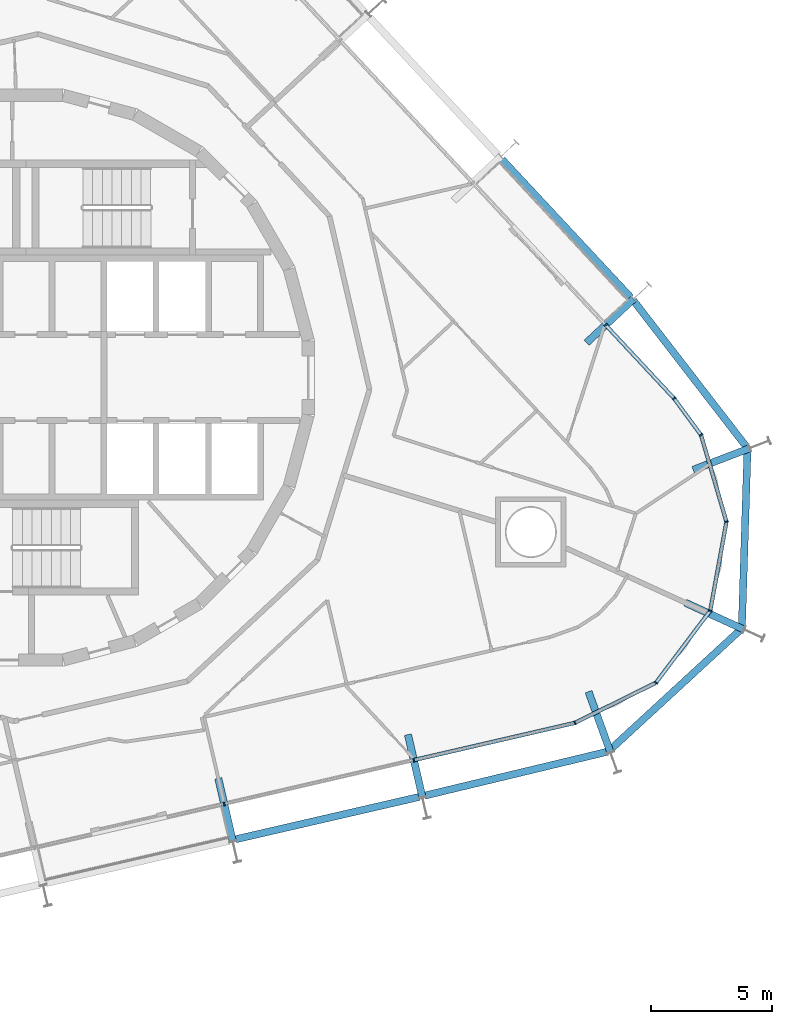
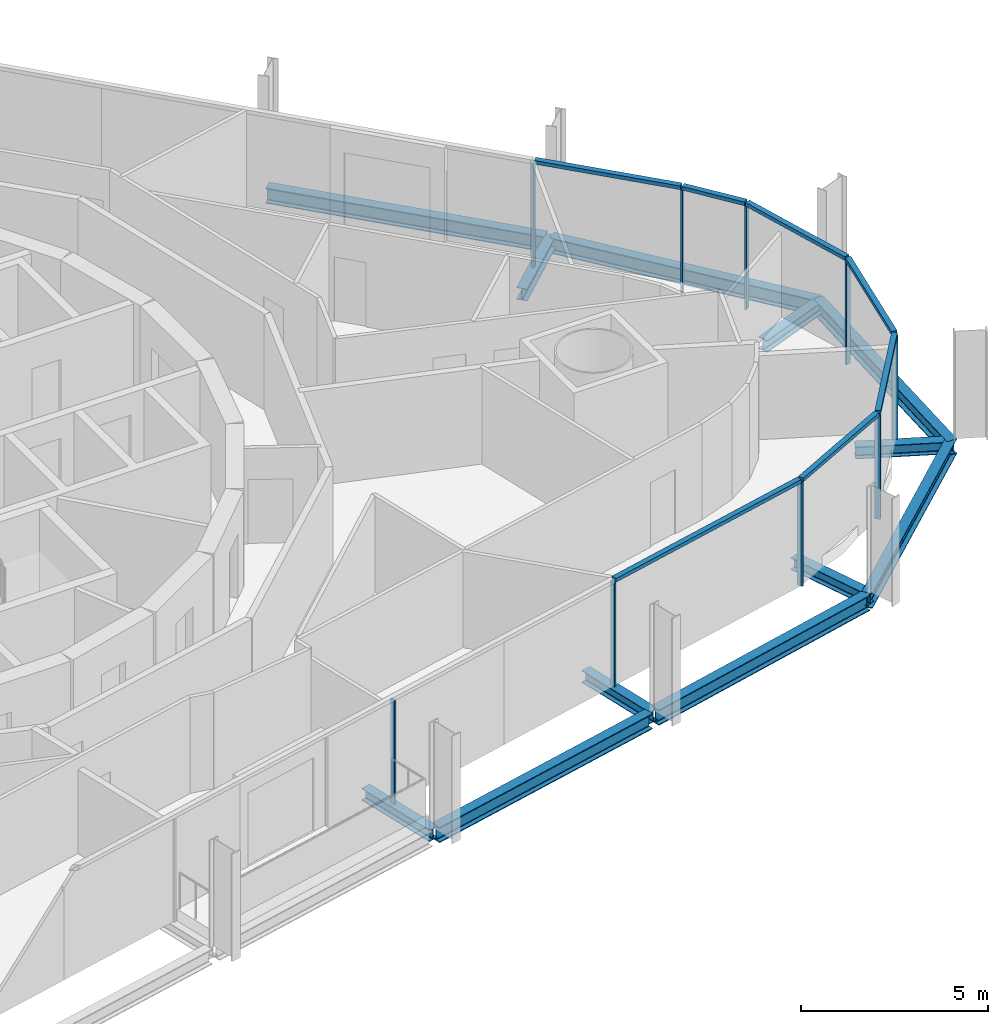
# One storey, part 6 of 18: 16 members, 12 beams, 3 elements without a shape of their own.
"""IFC4 building model written with IfcOpenShell, lengths in metres."""

from ifc_helpers import new_model, si_unit, direction, frame, origin, origin_2d, place, context, subcontext, project, spatial, rectangle, i_section, extrude, material, layer, layer_set, material_profile, profile_set, type_object, element, aggregate, save


model = new_model("IFC4")

# Units and contexts
model_context = context("Model", 3, precision=1e-05, world=origin(), true_north=direction((0.0, 1.0)))
body_context = subcontext(model_context, "Body", "Model", "MODEL_VIEW")
ifc_project = project(units=[si_unit("LENGTHUNIT", "METRE"), si_unit("AREAUNIT", "SQUARE_METRE"), si_unit("VOLUMEUNIT", "CUBIC_METRE"), si_unit("PLANEANGLEUNIT", "RADIAN"), si_unit("MASSUNIT", "GRAM", prefix="KILO")], contexts=[model_context])

# Site, building, storey
site_placement = place(None, origin())
site = spatial("IfcSite", under=ifc_project, at=site_placement, CompositionType="ELEMENT")
building_placement = place(site_placement, origin())
building = spatial("IfcBuilding", under=site, at=building_placement, Name="Spindle Arch Residences", CompositionType="ELEMENT")
storey_placement = place(building_placement, frame((0.0, 0.0, 116.89990234375)))
storey = spatial("IfcBuildingStorey", under=building, at=storey_placement, Name="L28", CompositionType="ELEMENT", Elevation=116.89990234375)

# Curtain wall, members
ifc_material_1 = material(Name="Aluminium bronze unitised frame with tinted glass", Category="aluminium")
ifc_layer_1 = layer(ifc_material_1, 0.159912109375)
ifc_layer_set_1 = layer_set([ifc_layer_1], Name="CW-D corner wall on the fillet arcs")
curtain_wall_type_1 = type_object("IfcCurtainWallType", Name="CW-D corner wall on the fillet arcs", PredefinedType="NOTDEFINED", material=ifc_layer_set_1)
curtain_wall_1_placement = place(storey_placement, origin())
curtain_wall_1 = element("IfcCurtainWall", 1, at=curtain_wall_1_placement, inside=storey, type_object=curtain_wall_type_1, Name="CW-D L28 run 1", PredefinedType="NOTDEFINED")
ifc_material_2 = material(Name="Aluminium bronze anodised mullion", Category="aluminium")
ifc_material_profile_1 = material_profile(ifc_material_2, rectangle(XDim=0.159912109375, YDim=0.06005859375, at=origin_2d()), Name="MU 60x160")
ifc_profile_set_1 = profile_set([ifc_material_profile_1], Name="Aluminium bronze anodised mullion")
member_type_1 = type_object("IfcMemberType", Name="Bronze mullion 60x160", PredefinedType="MULLION", material=ifc_profile_set_1)
member_1_placement = place(storey_placement, frame((16.002685546875, -15.775390625, -0.3798828125), z_axis=(0.0, 0.0, 1.0), x_axis=(-0.224951054344, 0.974370064785, 0.0)))
member_1 = element("IfcMember", 2, at=member_1_placement, type_object=member_type_1, Name="CW-D mullion 00", PredefinedType="MULLION", context=body_context, shape_type="SweptSolid", body=[
    extrude(rectangle(XDim=0.159912109375, YDim=0.06005859375, at=origin_2d()), origin(), (0.0, 0.0, 1.0), 3.3798828125),
])
member_2_placement = place(storey_placement, frame((22.647705078125, -14.2412109375, -0.3798828125), z_axis=(0.0, 0.0, 1.0), x_axis=(-0.443592675931, 0.896228507614, 0.0)))
member_2 = element("IfcMember", 3, at=member_2_placement, type_object=member_type_1, Name="CW-D mullion 01", PredefinedType="MULLION", context=body_context, shape_type="SweptSolid", body=[
    extrude(rectangle(XDim=0.159912109375, YDim=0.06005859375, at=origin_2d()), origin(), (0.0, 0.0, 1.0), 3.3798828125),
])
member_3_placement = place(storey_placement, frame((25.987548828125, -12.588134765625, -0.3798828125), z_axis=(0.0, 0.0, 1.0), x_axis=(-0.798635511056, 0.601815021814, 0.0)))
member_3 = element("IfcMember", 4, at=member_3_placement, type_object=member_type_1, Name="CW-D mullion 02", PredefinedType="MULLION", context=body_context, shape_type="SweptSolid", body=[
    extrude(rectangle(XDim=0.159912109375, YDim=0.06005859375, at=origin_2d()), origin(), (0.0, 0.0, 1.0), 3.3798828125),
])
member_4_placement = place(storey_placement, frame((28.23046875, -9.61181640625, -0.3798828125), z_axis=(0.0, 0.0, 1.0), x_axis=(-0.983780848179, 0.17937458782, 0.0)))
member_4 = element("IfcMember", 5, at=member_4_placement, type_object=member_type_1, Name="CW-D mullion 03", PredefinedType="MULLION", context=body_context, shape_type="SweptSolid", body=[
    extrude(rectangle(XDim=0.159912109375, YDim=0.06005859375, at=origin_2d()), origin(), (0.0, 0.0, 1.0), 3.3798828125),
])
member_5_placement = place(storey_placement, frame((28.89892578125, -5.945556640625, -0.3798828125), z_axis=(0.0, 0.0, 1.0), x_axis=(-0.959641844554, -0.281225052549, 0.0)))
member_5 = element("IfcMember", 6, at=member_5_placement, type_object=member_type_1, Name="CW-D mullion 04", PredefinedType="MULLION", context=body_context, shape_type="SweptSolid", body=[
    extrude(rectangle(XDim=0.159912109375, YDim=0.06005859375, at=origin_2d()), origin(), (0.0, 0.0, 1.0), 3.3798828125),
])
member_6_placement = place(storey_placement, frame((27.850830078125, -2.369140625, -0.3798828125), z_axis=(0.0, 0.0, 1.0), x_axis=(-0.805583724819, -0.592481951039, 0.0)))
member_6 = element("IfcMember", 7, at=member_6_placement, type_object=member_type_1, Name="CW-D mullion 05", PredefinedType="MULLION", context=body_context, shape_type="SweptSolid", body=[
    extrude(rectangle(XDim=0.159912109375, YDim=0.06005859375, at=origin_2d()), origin(), (0.0, 0.0, 1.0), 3.3798828125),
])
member_7_placement = place(storey_placement, frame((26.7392578125, -0.85791015625, -0.3798828125), z_axis=(0.0, 0.0, 1.0), x_axis=(-0.731353701619, -0.681998360062, 0.0)))
member_7 = element("IfcMember", 8, at=member_7_placement, type_object=member_type_1, Name="CW-D mullion 06", PredefinedType="MULLION", context=body_context, shape_type="SweptSolid", body=[
    extrude(rectangle(XDim=0.159912109375, YDim=0.06005859375, at=origin_2d()), origin(), (0.0, 0.0, 1.0), 3.3798828125),
])

# Curtain wall, member
ifc_material_3 = material(Name="Aluminium bronze unitised frame with tinted glass", Category="aluminium")
ifc_layer_2 = layer(ifc_material_3, 0.159912109375)
ifc_layer_set_2 = layer_set([ifc_layer_2], Name="CW-C typical residential unitised wall")
curtain_wall_type_2 = type_object("IfcCurtainWallType", Name="CW-C typical residential unitised wall", PredefinedType="NOTDEFINED", material=ifc_layer_set_2)
curtain_wall_2_placement = place(storey_placement, origin())
curtain_wall_2 = element("IfcCurtainWall", 9, at=curtain_wall_2_placement, inside=storey, type_object=curtain_wall_type_2, Name="CW-C L28 run 2", PredefinedType="NOTDEFINED")
member_8_placement = place(storey_placement, frame((23.91357421875, 2.172607421875, -0.3798828125), z_axis=(0.0, 0.0, 1.0), x_axis=(-0.731353701619, -0.681998360062, 0.0)))
member_8 = element("IfcMember", 10, at=member_8_placement, type_object=member_type_1, Name="CW-C mullion 05", PredefinedType="MULLION", context=body_context, shape_type="SweptSolid", body=[
    extrude(rectangle(XDim=0.159912109375, YDim=0.06005859375, at=origin_2d()), origin(), (0.0, 0.0, 1.0), 3.3798828125),
])
aggregate(curtain_wall_2, [member_8])

curtain_wall_3_placement = place(storey_placement, origin())
curtain_wall_3 = element("IfcCurtainWall", 11, at=curtain_wall_3_placement, inside=storey, type_object=curtain_wall_type_2, Name="CW-C L28 run 6", PredefinedType="NOTDEFINED")
member_9_placement = place(storey_placement, frame((8.17919921875, -17.58154296875, -0.3798828125), z_axis=(0.0, 0.0, 1.0), x_axis=(-0.224951054344, 0.974370064785, 0.0)))
member_9 = element("IfcMember", 12, at=member_9_placement, type_object=member_type_1, Name="CW-C mullion 00", PredefinedType="MULLION", context=body_context, shape_type="SweptSolid", body=[
    extrude(rectangle(XDim=0.159912109375, YDim=0.06005859375, at=origin_2d()), origin(), (0.0, 0.0, 1.0), 3.3798828125),
])
aggregate(curtain_wall_3, [member_9])

# Member
ifc_material_4 = material(Name="Aluminium bronze anodised transom", Category="aluminium")
ifc_material_profile_2 = material_profile(ifc_material_4, rectangle(XDim=0.159912109375, YDim=0.1201171875, at=origin_2d()), Name="TR 120x160")
ifc_profile_set_2 = profile_set([ifc_material_profile_2], Name="Aluminium bronze anodised transom")
member_type_2 = type_object("IfcMemberType", Name="Bronze transom 120x160", PredefinedType="USERDEFINED", material=ifc_profile_set_2)
member_10_placement = place(storey_placement, frame((16.03173828125, -15.7685546875, 3.06005859375), z_axis=(0.974374758263, 0.224930723691, 0.0), x_axis=(-0.224930723691, 0.974374758263, 0.0)))
member_10 = element("IfcMember", 13, at=member_10_placement, type_object=member_type_2, Name="CW-D transom 00", ObjectType="TRANSOM", PredefinedType="USERDEFINED", context=body_context, shape_type="SweptSolid", body=[
    extrude(rectangle(XDim=0.159912109375, YDim=0.1201171875, at=origin_2d()), origin(), (0.0, 0.0, 1.0), 6.760009765625),
])

member_11_placement = place(storey_placement, frame((22.674560546875, -14.22802734375, 3.06005859375), z_axis=(0.896204490037, 0.443641197408, 0.0), x_axis=(-0.443641197408, 0.896204490037, 0.0)))
member_11 = element("IfcMember", 14, at=member_11_placement, type_object=member_type_2, Name="CW-D transom 01", ObjectType="TRANSOM", PredefinedType="USERDEFINED", context=body_context, shape_type="SweptSolid", body=[
    extrude(rectangle(XDim=0.159912109375, YDim=0.1201171875, at=origin_2d()), origin(), (0.0, 0.0, 1.0), 3.666748046875),
])

member_12_placement = place(storey_placement, frame((26.005615234375, -12.564208984375, 3.06005859375), z_axis=(0.601820083797, 0.798631696553, 0.0), x_axis=(-0.798631696553, 0.601820083797, 0.0)))
member_12 = element("IfcMember", 15, at=member_12_placement, type_object=member_type_2, Name="CW-D transom 02", ObjectType="TRANSOM", PredefinedType="USERDEFINED", context=body_context, shape_type="SweptSolid", body=[
    extrude(rectangle(XDim=0.159912109375, YDim=0.1201171875, at=origin_2d()), origin(), (0.0, 0.0, 1.0), 3.666748046875),
])

member_13_placement = place(storey_placement, frame((28.23583984375, -9.582275390625, 3.06005859375), z_axis=(0.179377605594, 0.983780297938, 0.0), x_axis=(-0.983780297938, 0.179377605594, 0.0)))
member_13 = element("IfcMember", 16, at=member_13_placement, type_object=member_type_2, Name="CW-D transom 03", ObjectType="TRANSOM", PredefinedType="USERDEFINED", context=body_context, shape_type="SweptSolid", body=[
    extrude(rectangle(XDim=0.159912109375, YDim=0.1201171875, at=origin_2d()), origin(), (0.0, 0.0, 1.0), 3.666748046875),
])

member_14_placement = place(storey_placement, frame((28.890625, -5.916748046875, 3.06005859375), z_axis=(-0.281239778168, 0.959637529058, 0.0), x_axis=(-0.959637529058, -0.281239778168, 0.0)))
member_14 = element("IfcMember", 17, at=member_14_placement, type_object=member_type_2, Name="CW-D transom 04", ObjectType="TRANSOM", PredefinedType="USERDEFINED", context=body_context, shape_type="SweptSolid", body=[
    extrude(rectangle(XDim=0.159912109375, YDim=0.1201171875, at=origin_2d()), origin(), (0.0, 0.0, 1.0), 3.666748046875),
])

member_15_placement = place(storey_placement, frame((27.833251953125, -2.344970703125, 3.06005859375), z_axis=(-0.592575212526, 0.805515125557, 0.0), x_axis=(-0.805515125557, -0.592575212526, 0.0)))
member_15 = element("IfcMember", 18, at=member_15_placement, type_object=member_type_2, Name="CW-D transom 05", ObjectType="TRANSOM", PredefinedType="USERDEFINED", context=body_context, shape_type="SweptSolid", body=[
    extrude(rectangle(XDim=0.159912109375, YDim=0.1201171875, at=origin_2d()), origin(), (0.0, 0.0, 1.0), 1.816162109375),
])

member_16_placement = place(storey_placement, frame((26.718994140625, -0.8359375, 3.06005859375), z_axis=(-0.681983744213, 0.731367330846, 0.0), x_axis=(-0.731367330846, -0.681983744213, 0.0)))
member_16 = element("IfcMember", 19, at=member_16_placement, type_object=member_type_2, Name="CW-D transom 06", ObjectType="TRANSOM", PredefinedType="USERDEFINED", context=body_context, shape_type="SweptSolid", body=[
    extrude(rectangle(XDim=0.159912109375, YDim=0.1201171875, at=origin_2d()), origin(), (0.0, 0.0, 1.0), 4.08349609375),
])

aggregate(curtain_wall_1, [member_1, member_10, member_2, member_11, member_3, member_12, member_4, member_13, member_5, member_14, member_6, member_15, member_7, member_16])

# Beams
ifc_material_5 = material(Name="Steel S460ML, intumescent coating R 120", Category="steel")
ifc_material_profile_3 = material_profile(ifc_material_5, i_section(OverallWidth=0.300048828125, OverallDepth=0.5, WebThickness=0.014404296875, FlangeThickness=0.028076171875, FilletRadius=0.027099609375, at=origin_2d()), Name="HEB 500")
ifc_profile_set_3 = profile_set([ifc_material_profile_3], Name="Steel S460ML, intumescent coating R 120")
beam_type_1 = type_object("IfcBeamType", Name="Exoskeleton edge beam HEB 500", PredefinedType="BEAM", material=ifc_profile_set_3)
beam_1_placement = place(storey_placement, frame((8.64990234375, -19.043212890625, -0.6298828125), z_axis=(0.974368417755, 0.224958188297, 0.0), x_axis=(-0.224958188297, 0.974368417755, 0.0)))
element("IfcBeam", 20, at=beam_1_placement, inside=storey, type_object=beam_type_1, Name="Exoskeleton edge beam 1", PredefinedType="BEAM", context=body_context, shape_type="SweptSolid", body=[
    extrude(i_section(OverallWidth=0.300048828125, OverallDepth=0.5, WebThickness=0.014404296875, FlangeThickness=0.028076171875, FilletRadius=0.027099609375, at=origin_2d()), origin(), (0.0, 0.0, 1.0), 7.76953125),
])
beam_2_placement = place(storey_placement, frame((16.44482421875, -17.243408203125, -0.6298828125), z_axis=(0.972297635128, 0.233746248579, 0.0), x_axis=(-0.233746248579, 0.972297635128, 0.0)))
element("IfcBeam", 21, at=beam_2_placement, inside=storey, type_object=beam_type_1, Name="Exoskeleton edge beam 2", PredefinedType="BEAM", context=body_context, shape_type="SweptSolid", body=[
    extrude(i_section(OverallWidth=0.300048828125, OverallDepth=0.5, WebThickness=0.014404296875, FlangeThickness=0.028076171875, FilletRadius=0.027099609375, at=origin_2d()), origin(), (0.0, 0.0, 1.0), 7.7666015625),
])
for number, where, z_axis, x_axis, name in (
    (22, (24.025146484375, -15.419189453125, -0.6298828125), (0.73568442847, 0.677324458223, 0.0), (-0.677324458223, 0.73568442847, 0.0), "Exoskeleton edge beam 3"),
    (23, (29.5283203125, -10.42578125, -0.6298828125), (0.031715707037, 0.999496930424, 0.0), (-0.999496930424, 0.031715707037, 0.0), "Exoskeleton edge beam 4"),
):
    element("IfcBeam", number, at=place(storey_placement, frame(where, z_axis=z_axis, x_axis=x_axis)), inside=storey, type_object=beam_type_1, Name=name, PredefinedType="BEAM", context=body_context, shape_type="SweptSolid", body=[
        extrude(i_section(OverallWidth=0.300048828125, OverallDepth=0.5, WebThickness=0.014404296875, FlangeThickness=0.028076171875, FilletRadius=0.027099609375, at=origin_2d()), origin(), (0.0, 0.0, 1.0), 7.559326171875),
    ])
beam_3_placement = place(storey_placement, frame((29.766845703125, -2.91259765625, -0.6298828125), z_axis=(-0.611305970043, 0.791394346069, 0.0), x_axis=(-0.791394346069, -0.611305970043, 0.0)))
element("IfcBeam", 24, at=beam_3_placement, inside=storey, type_object=beam_type_1, Name="Exoskeleton edge beam 5", PredefinedType="BEAM", context=body_context, shape_type="SweptSolid", body=[
    extrude(i_section(OverallWidth=0.300048828125, OverallDepth=0.5, WebThickness=0.014404296875, FlangeThickness=0.028076171875, FilletRadius=0.027099609375, at=origin_2d()), origin(), (0.0, 0.0, 1.0), 7.708251953125),
])
beam_4_placement = place(storey_placement, frame((24.94384765625, 3.31103515625, -0.6298828125), z_axis=(-0.682008048331, 0.731344667042, 0.0), x_axis=(-0.731344667042, -0.682008048331, 0.0)))
element("IfcBeam", 25, at=beam_4_placement, inside=storey, type_object=beam_type_1, Name="Exoskeleton edge beam 6", PredefinedType="BEAM", context=body_context, shape_type="SweptSolid", body=[
    extrude(i_section(OverallWidth=0.300048828125, OverallDepth=0.5, WebThickness=0.014404296875, FlangeThickness=0.028076171875, FilletRadius=0.027099609375, at=origin_2d()), origin(), (0.0, 0.0, 1.0), 7.76904296875),
])
ifc_material_6 = material(Name="Steel S460ML, intumescent coating R 120", Category="steel")
ifc_material_profile_4 = material_profile(ifc_material_6, i_section(OverallWidth=0.300048828125, OverallDepth=0.389892578125, WebThickness=0.010986328125, FlangeThickness=0.01904296875, FilletRadius=0.027099609375, at=origin_2d()), Name="HEA 400")
ifc_profile_set_4 = profile_set([ifc_material_profile_4], Name="Steel S460ML, intumescent coating R 120")
beam_type_2 = type_object("IfcBeamType", Name="Floor outrigger HEA 400", PredefinedType="BEAM", material=ifc_profile_set_4)
for number, where, z_axis, x_axis, name in (
    (26, (8.532470703125, -19.111328125, -0.574951171875), (-0.224980619228, 0.974363238721, 0.0), (-0.974363238721, -0.224980619228, 0.0), "Floor outrigger 1"),
    (27, (16.355712890625, -17.30517578125, -0.574951171875), (-0.224893150114, 0.974383431218, 0.0), (-0.974383431218, -0.224893150114, 0.0), "Floor outrigger 2"),
):
    element("IfcBeam", number, at=place(storey_placement, frame(where, z_axis=z_axis, x_axis=x_axis)), inside=storey, type_object=beam_type_2, Name=name, PredefinedType="BEAM", context=body_context, shape_type="SweptSolid", body=[
        extrude(i_section(OverallWidth=0.300048828125, OverallDepth=0.389892578125, WebThickness=0.010986328125, FlangeThickness=0.01904296875, FilletRadius=0.027099609375, at=origin_2d()), origin(), (0.0, 0.0, 1.0), 2.64990234375),
    ])
beam_5_placement = place(storey_placement, frame((24.1083984375, -15.444580078125, -0.574951171875), z_axis=(-0.339759917159, 0.940512200183, 0.0), x_axis=(-0.940512200183, -0.339759917159, 0.0)))
element("IfcBeam", 28, at=beam_5_placement, inside=storey, type_object=beam_type_2, Name="Floor outrigger 3", PredefinedType="BEAM", context=body_context, shape_type="SweptSolid", body=[
    extrude(i_section(OverallWidth=0.300048828125, OverallDepth=0.389892578125, WebThickness=0.010986328125, FlangeThickness=0.01904296875, FilletRadius=0.027099609375, at=origin_2d()), origin(), (0.0, 0.0, 1.0), 2.650146484375),
])
beam_6_placement = place(storey_placement, frame((29.604736328125, -10.384033203125, -0.574951171875), z_axis=(-0.909319126007, 0.416099419703, 0.0), x_axis=(-0.416099419703, -0.909319126007, 0.0)))
element("IfcBeam", 29, at=beam_6_placement, inside=storey, type_object=beam_type_2, Name="Floor outrigger 4", PredefinedType="BEAM", context=body_context, shape_type="SweptSolid", body=[
    extrude(i_section(OverallWidth=0.300048828125, OverallDepth=0.389892578125, WebThickness=0.010986328125, FlangeThickness=0.01904296875, FilletRadius=0.027099609375, at=origin_2d()), origin(), (0.0, 0.0, 1.0), 2.649658203125),
])
beam_7_placement = place(storey_placement, frame((29.841796875, -2.9169921875, -0.574951171875), z_axis=(-0.933858846877, -0.35764179581, 0.0), x_axis=(0.35764179581, -0.933858846877, 0.0)))
element("IfcBeam", 30, at=beam_7_placement, inside=storey, type_object=beam_type_2, Name="Floor outrigger 5", PredefinedType="BEAM", context=body_context, shape_type="SweptSolid", body=[
    extrude(i_section(OverallWidth=0.300048828125, OverallDepth=0.389892578125, WebThickness=0.010986328125, FlangeThickness=0.01904296875, FilletRadius=0.027099609375, at=origin_2d()), origin(), (0.0, 0.0, 1.0), 2.484130859375),
])
beam_8_placement = place(storey_placement, frame((25.061767578125, 3.2431640625, -0.574951171875), z_axis=(-0.731321752584, -0.682032619599, 0.0), x_axis=(0.682032619599, -0.731321752584, 0.0)))
element("IfcBeam", 31, at=beam_8_placement, inside=storey, type_object=beam_type_2, Name="Floor outrigger 6", PredefinedType="BEAM", context=body_context, shape_type="SweptSolid", body=[
    extrude(i_section(OverallWidth=0.300048828125, OverallDepth=0.389892578125, WebThickness=0.010986328125, FlangeThickness=0.01904296875, FilletRadius=0.027099609375, at=origin_2d()), origin(), (0.0, 0.0, 1.0), 2.64990234375),
])

save(model, "model.ifc")
